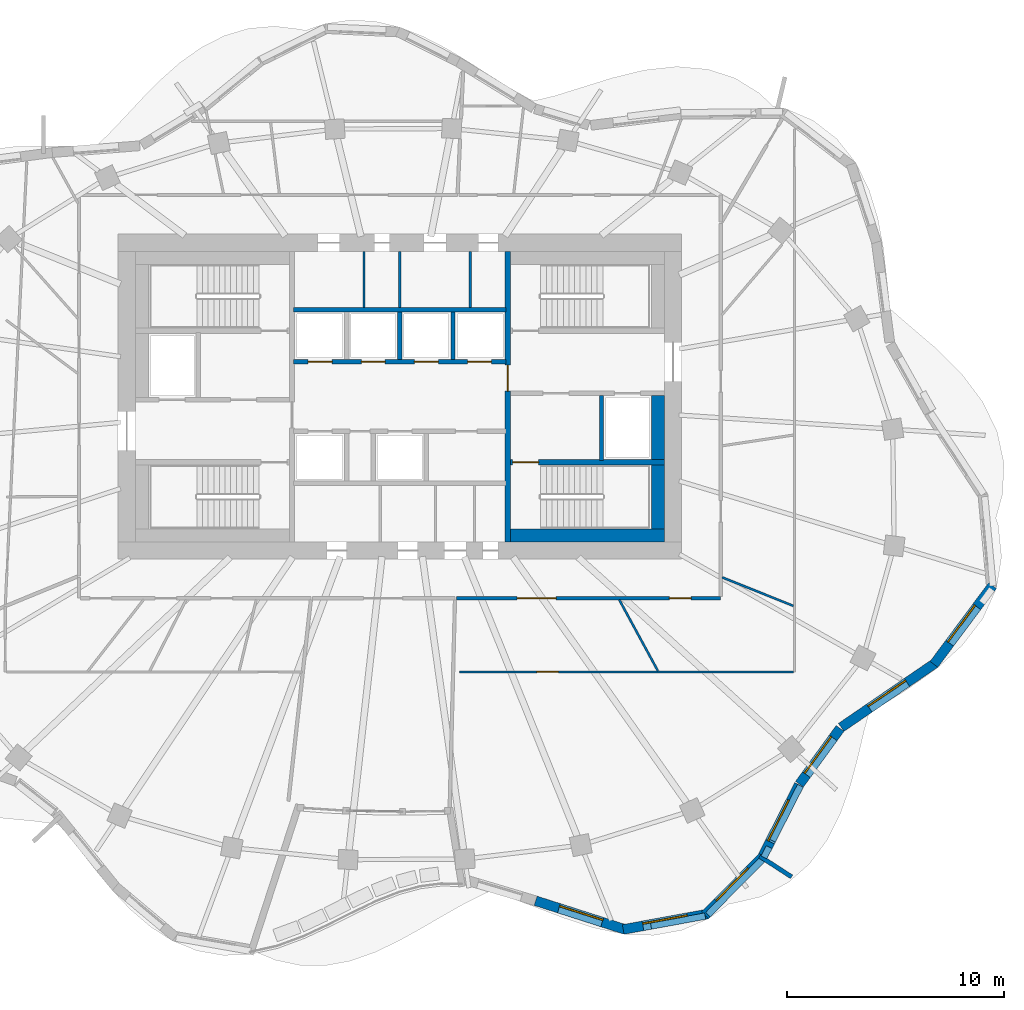
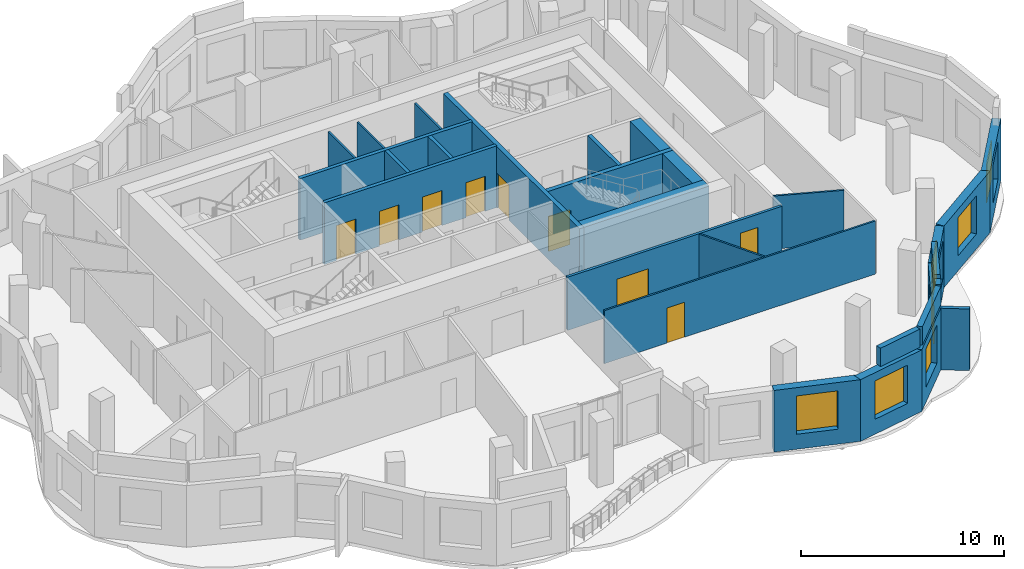
# One storey, part 7 of 12: 29 walls, 9 doors, 7 windows, 16 openings.
"""IFC4 building model written with IfcOpenShell, lengths in metres."""

from ifc_helpers import new_model, si_unit, direction, frame, frame_2d, origin, place, context, subcontext, project, spatial, rectangle, extrude, material, layer, layer_set, type_object, element, fill, save


model = new_model("IFC4")

# Units and contexts
model_context = context("Model", 3, precision=1e-05, world=origin(), true_north=direction((0.0, 1.0)))
body_context = subcontext(model_context, "Body", "Model", "MODEL_VIEW")
ifc_project = project(units=[si_unit("LENGTHUNIT", "METRE"), si_unit("AREAUNIT", "SQUARE_METRE"), si_unit("VOLUMEUNIT", "CUBIC_METRE"), si_unit("PLANEANGLEUNIT", "RADIAN"), si_unit("MASSUNIT", "GRAM", prefix="KILO")], contexts=[model_context])

# Site, building, storey
site_placement = place(None, origin())
site = spatial("IfcSite", under=ifc_project, at=site_placement, CompositionType="ELEMENT")
building_placement = place(site_placement, origin())
building = spatial("IfcBuilding", under=site, at=building_placement, Name="Rubra Terraces Tower", CompositionType="ELEMENT")
storey_placement = place(building_placement, frame((0.0, 0.0, 276.60009765625)))
storey = spatial("IfcBuildingStorey", under=building, at=storey_placement, Name="L68", CompositionType="ELEMENT", Elevation=276.60009765625)

# Wall, opening, window
ifc_material_1 = material(Name="Brick masonry red-brown", Category="masonry")
ifc_layer_1 = layer(ifc_material_1, 0.449951171875)
ifc_layer_set_1 = layer_set([ifc_layer_1], Name="Brick masonry red-brown")
wall_type_1 = type_object("IfcWallType", Name="Brick facade wall 450", PredefinedType="SOLIDWALL", material=ifc_layer_set_1)
wall_1_placement = place(storey_placement, frame((6.264404296875, -18.758544921875, 0.0), z_axis=(0.0, 0.0, 1.0), x_axis=(0.952259303219, -0.305290385423, 0.0)))
wall_1 = element("IfcWall", 1, at=wall_1_placement, inside=storey, type_object=wall_type_1, Name="Facade wall L68 bay 33", PredefinedType="SOLIDWALL", context=body_context, shape_type="SweptSolid", body=[
    extrude(rectangle(XDim=4.354248046875, YDim=0.449951171875, at=frame_2d((2.17724609375, 0.0))), origin(), (0.0, 0.0, 1.0), 3.699951171875),
])
opening_1_placement = place(wall_1_placement, frame((1.127197265625, 0.0, 0.89990234375)))
opening_1 = element("IfcOpeningElement", 2, at=opening_1_placement, cuts=wall_1, Name="Opening W1B", PredefinedType="OPENING", context=body_context, shape_type="SweptSolid", body=[
    extrude(rectangle(XDim=2.10009765625, YDim=2.300048828125, at=frame_2d((1.050048828125, 1.14990234375))), frame((0.0, 0.23486328125, 0.0), z_axis=(0.0, -1.0, 0.0), x_axis=(1.0, 0.0, 0.0)), (0.0, 0.0, 1.0), 0.469970703125),
])
ifc_material_2 = material(Name="Clear glass in aluminium frame", Category="aluminium")
window_type = type_object("IfcWindowType", Name="Fixed deep-set window tall storey 2100 x 2300", PartitioningType="SINGLE_PANEL", PredefinedType="WINDOW", material=ifc_material_2)
window_1_placement = place(opening_1_placement, origin())
window_1 = element("IfcWindow", 3, at=window_1_placement, inside=storey, type_object=window_type, Name="Window L68 bay 33", OverallHeight=2.300048828125, OverallWidth=2.10009765625, PartitioningType="SINGLE_PANEL", PredefinedType="WINDOW", context=body_context, shape_type="SweptSolid", body=[
    extrude(rectangle(XDim=2.10009765625, YDim=2.300048828125, at=frame_2d((1.050048828125, 1.14990234375))), frame((0.0, 0.135009765625, 0.0), z_axis=(0.0, -1.0, 0.0), x_axis=(1.0, 0.0, 0.0)), (0.0, 0.0, 1.0), 0.06005859375),
])
fill(opening_1, window_1)

wall_2_placement = place(storey_placement, frame((10.304443359375, -20.081787109375, 0.0), z_axis=(0.0, 0.0, 1.0), x_axis=(0.983644868335, 0.180118774698, 0.0)))
wall_2 = element("IfcWall", 4, at=wall_2_placement, inside=storey, type_object=wall_type_1, Name="Facade wall L68 bay 34", PredefinedType="SOLIDWALL", context=body_context, shape_type="SweptSolid", body=[
    extrude(rectangle(XDim=3.953857421875, YDim=0.449951171875, at=frame_2d((1.97705078125, 0.0))), origin(), (0.0, 0.0, 1.0), 3.699951171875),
])
opening_2_placement = place(wall_2_placement, frame((0.9267578125, 0.0, 0.89990234375)))
opening_2 = element("IfcOpeningElement", 5, at=opening_2_placement, cuts=wall_2, Name="Opening W1B", PredefinedType="OPENING", context=body_context, shape_type="SweptSolid", body=[
    extrude(rectangle(XDim=2.10009765625, YDim=2.300048828125, at=frame_2d((1.050048828125, 1.14990234375))), frame((0.0, 0.23486328125, 0.0), z_axis=(0.0, -1.0, 0.0), x_axis=(1.0, 0.0, 0.0)), (0.0, 0.0, 1.0), 0.469970703125),
])
window_2_placement = place(opening_2_placement, origin())
window_2 = element("IfcWindow", 6, at=window_2_placement, inside=storey, type_object=window_type, Name="Window L68 bay 34", OverallHeight=2.300048828125, OverallWidth=2.10009765625, PartitioningType="SINGLE_PANEL", PredefinedType="WINDOW", context=body_context, shape_type="SweptSolid", body=[
    extrude(rectangle(XDim=2.10009765625, YDim=2.300048828125, at=frame_2d((1.050048828125, 1.14990234375))), frame((0.0, 0.135009765625, 0.0), z_axis=(0.0, -1.0, 0.0), x_axis=(1.0, 0.0, 0.0)), (0.0, 0.0, 1.0), 0.06005859375),
])
fill(opening_2, window_2)

wall_3_placement = place(storey_placement, frame((14.073974609375, -19.432861328125, 0.0), z_axis=(0.0, 0.0, 1.0), x_axis=(0.702451084622, 0.711732023808, 0.0)))
wall_3 = element("IfcWall", 7, at=wall_3_placement, inside=storey, type_object=wall_type_1, Name="Facade wall L68 bay 35", PredefinedType="SOLIDWALL", context=body_context, shape_type="SweptSolid", body=[
    extrude(rectangle(XDim=3.7880859375, YDim=0.449951171875, at=frame_2d((1.89404296875, 0.0))), origin(), (0.0, 0.0, 1.0), 3.699951171875),
])
opening_3_placement = place(wall_3_placement, frame((0.843994140625, 0.0, 0.89990234375)))
opening_3 = element("IfcOpeningElement", 8, at=opening_3_placement, cuts=wall_3, Name="Opening W1B", PredefinedType="OPENING", context=body_context, shape_type="SweptSolid", body=[
    extrude(rectangle(XDim=2.10009765625, YDim=2.300048828125, at=frame_2d((1.050048828125, 1.14990234375))), frame((0.0, 0.23486328125, 0.0), z_axis=(0.0, -1.0, 0.0), x_axis=(1.0, 0.0, 0.0)), (0.0, 0.0, 1.0), 0.469970703125),
])
window_3_placement = place(opening_3_placement, origin())
window_3 = element("IfcWindow", 9, at=window_3_placement, inside=storey, type_object=window_type, Name="Window L68 bay 35", OverallHeight=2.300048828125, OverallWidth=2.10009765625, PartitioningType="SINGLE_PANEL", PredefinedType="WINDOW", context=body_context, shape_type="SweptSolid", body=[
    extrude(rectangle(XDim=2.10009765625, YDim=2.300048828125, at=frame_2d((1.050048828125, 1.14990234375))), frame((0.0, 0.135009765625, 0.0), z_axis=(0.0, -1.0, 0.0), x_axis=(1.0, 0.0, 0.0)), (0.0, 0.0, 1.0), 0.06005859375),
])
fill(opening_3, window_3)

wall_4_placement = place(storey_placement, frame((16.697021484375, -16.7880859375, 0.0), z_axis=(0.0, 0.0, 1.0), x_axis=(0.453390768189, 0.891311848525, 0.0)))
wall_4 = element("IfcWall", 10, at=wall_4_placement, inside=storey, type_object=wall_type_1, Name="Facade wall L68 bay 36", PredefinedType="SOLIDWALL", context=body_context, shape_type="SweptSolid", body=[
    extrude(rectangle(XDim=3.78759765625, YDim=0.449951171875, at=frame_2d((1.893798828125, 0.0))), origin(), (0.0, 0.0, 1.0), 3.699951171875),
])
opening_4_placement = place(wall_4_placement, frame((0.843994140625, 0.0, 0.89990234375)))
opening_4 = element("IfcOpeningElement", 11, at=opening_4_placement, cuts=wall_4, Name="Opening W1B", PredefinedType="OPENING", context=body_context, shape_type="SweptSolid", body=[
    extrude(rectangle(XDim=2.10009765625, YDim=2.300048828125, at=frame_2d((1.050048828125, 1.14990234375))), frame((0.0, 0.23486328125, 0.0), z_axis=(0.0, -1.0, 0.0), x_axis=(1.0, 0.0, 0.0)), (0.0, 0.0, 1.0), 0.469970703125),
])
window_4_placement = place(opening_4_placement, origin())
window_4 = element("IfcWindow", 12, at=window_4_placement, inside=storey, type_object=window_type, Name="Window L68 bay 36", OverallHeight=2.300048828125, OverallWidth=2.10009765625, PartitioningType="SINGLE_PANEL", PredefinedType="WINDOW", context=body_context, shape_type="SweptSolid", body=[
    extrude(rectangle(XDim=2.10009765625, YDim=2.300048828125, at=frame_2d((1.050048828125, 1.14990234375))), frame((0.0, 0.135009765625, 0.0), z_axis=(0.0, -1.0, 0.0), x_axis=(1.0, 0.0, 0.0)), (0.0, 0.0, 1.0), 0.06005859375),
])
fill(opening_4, window_4)

wall_5_placement = place(storey_placement, frame((18.43408203125, -13.381103515625, 0.0), z_axis=(0.0, 0.0, 1.0), x_axis=(0.58867331001, 0.808371037384, 0.0)))
wall_5 = element("IfcWall", 13, at=wall_5_placement, inside=storey, type_object=wall_type_1, Name="Facade wall L68 bay 37", PredefinedType="SOLIDWALL", context=body_context, shape_type="SweptSolid", body=[
    extrude(rectangle(XDim=3.1826171875, YDim=0.449951171875, at=frame_2d((1.59130859375, 0.0))), origin(), (0.0, 0.0, 1.0), 3.699951171875),
])
opening_5_placement = place(wall_5_placement, frame((0.541259765625, 0.0, 0.89990234375)))
opening_5 = element("IfcOpeningElement", 14, at=opening_5_placement, cuts=wall_5, Name="Opening W1B", PredefinedType="OPENING", context=body_context, shape_type="SweptSolid", body=[
    extrude(rectangle(XDim=2.10009765625, YDim=2.300048828125, at=frame_2d((1.050048828125, 1.14990234375))), frame((0.0, 0.23486328125, 0.0), z_axis=(0.0, -1.0, 0.0), x_axis=(1.0, 0.0, 0.0)), (0.0, 0.0, 1.0), 0.469970703125),
])
window_5_placement = place(opening_5_placement, origin())
window_5 = element("IfcWindow", 15, at=window_5_placement, inside=storey, type_object=window_type, Name="Window L68 bay 37", OverallHeight=2.300048828125, OverallWidth=2.10009765625, PartitioningType="SINGLE_PANEL", PredefinedType="WINDOW", context=body_context, shape_type="SweptSolid", body=[
    extrude(rectangle(XDim=2.10009765625, YDim=2.300048828125, at=frame_2d((1.050048828125, 1.14990234375))), frame((0.0, 0.135009765625, 0.0), z_axis=(0.0, -1.0, 0.0), x_axis=(1.0, 0.0, 0.0)), (0.0, 0.0, 1.0), 0.06005859375),
])
fill(opening_5, window_5)

wall_6_placement = place(storey_placement, frame((20.358642578125, -10.760498046875, 0.0), z_axis=(0.0, 0.0, 1.0), x_axis=(0.825616460661, 0.564231743068, 0.0)))
wall_6 = element("IfcWall", 16, at=wall_6_placement, inside=storey, type_object=wall_type_1, Name="Facade wall L68 bay 38", PredefinedType="SOLIDWALL", context=body_context, shape_type="SweptSolid", body=[
    extrude(rectangle(XDim=5.246337890625, YDim=0.449951171875, at=frame_2d((2.623046875, 0.0))), origin(), (0.0, 0.0, 1.0), 3.699951171875),
])
opening_6_placement = place(wall_6_placement, frame((1.5732421875, 0.0, 0.89990234375)))
opening_6 = element("IfcOpeningElement", 17, at=opening_6_placement, cuts=wall_6, Name="Opening W1B", PredefinedType="OPENING", context=body_context, shape_type="SweptSolid", body=[
    extrude(rectangle(XDim=2.10009765625, YDim=2.300048828125, at=frame_2d((1.050048828125, 1.14990234375))), frame((0.0, 0.23486328125, 0.0), z_axis=(0.0, -1.0, 0.0), x_axis=(1.0, 0.0, 0.0)), (0.0, 0.0, 1.0), 0.469970703125),
])
window_6_placement = place(opening_6_placement, origin())
window_6 = element("IfcWindow", 18, at=window_6_placement, inside=storey, type_object=window_type, Name="Window L68 bay 38", OverallHeight=2.300048828125, OverallWidth=2.10009765625, PartitioningType="SINGLE_PANEL", PredefinedType="WINDOW", context=body_context, shape_type="SweptSolid", body=[
    extrude(rectangle(XDim=2.10009765625, YDim=2.300048828125, at=frame_2d((1.050048828125, 1.14990234375))), frame((0.0, 0.135009765625, 0.0), z_axis=(0.0, -1.0, 0.0), x_axis=(1.0, 0.0, 0.0)), (0.0, 0.0, 1.0), 0.06005859375),
])
fill(opening_6, window_6)

wall_7_placement = place(storey_placement, frame((24.63671875, -7.851806640625, 0.0), z_axis=(0.0, 0.0, 1.0), x_axis=(0.597518748368, 0.80185494034, 0.0)))
wall_7 = element("IfcWall", 19, at=wall_7_placement, inside=storey, type_object=wall_type_1, Name="Facade wall L68 bay 39", PredefinedType="SOLIDWALL", context=body_context, shape_type="SweptSolid", body=[
    extrude(rectangle(XDim=4.5234375, YDim=0.449951171875, at=frame_2d((2.26171875, 0.0))), origin(), (0.0, 0.0, 1.0), 3.699951171875),
])
opening_7_placement = place(wall_7_placement, frame((1.211669921875, 0.0, 0.89990234375)))
opening_7 = element("IfcOpeningElement", 20, at=opening_7_placement, cuts=wall_7, Name="Opening W1B", PredefinedType="OPENING", context=body_context, shape_type="SweptSolid", body=[
    extrude(rectangle(XDim=2.10009765625, YDim=2.300048828125, at=frame_2d((1.050048828125, 1.14990234375))), frame((0.0, 0.23486328125, 0.0), z_axis=(0.0, -1.0, 0.0), x_axis=(1.0, 0.0, 0.0)), (0.0, 0.0, 1.0), 0.469970703125),
])
window_7_placement = place(opening_7_placement, origin())
window_7 = element("IfcWindow", 21, at=window_7_placement, inside=storey, type_object=window_type, Name="Window L68 bay 39", OverallHeight=2.300048828125, OverallWidth=2.10009765625, PartitioningType="SINGLE_PANEL", PredefinedType="WINDOW", context=body_context, shape_type="SweptSolid", body=[
    extrude(rectangle(XDim=2.10009765625, YDim=2.300048828125, at=frame_2d((1.050048828125, 1.14990234375))), frame((0.0, 0.135009765625, 0.0), z_axis=(0.0, -1.0, 0.0), x_axis=(1.0, 0.0, 0.0)), (0.0, 0.0, 1.0), 0.06005859375),
])
fill(opening_7, window_7)

# Walls
ifc_layer_2 = layer(ifc_material_1, 0.300048828125)
ifc_layer_set_2 = layer_set([ifc_layer_2], Name="Brick masonry red-brown")
wall_type_2 = type_object("IfcWallType", Name="Brick parapet 300", PredefinedType="PARAPET", material=ifc_layer_set_2)
wall_8_placement = place(storey_placement, frame((11.586669921875, -19.923095703125, 3.89990234375), z_axis=(0.0, 0.0, 1.0), x_axis=(0.983652285329, 0.180078265118, 0.0)))
element("IfcWall", 22, at=wall_8_placement, inside=storey, type_object=wall_type_2, Name="Parapet L68 bay 34", PredefinedType="PARAPET", context=body_context, shape_type="SweptSolid", body=[
    extrude(rectangle(XDim=2.539306640625, YDim=0.300048828125, at=frame_2d((1.26953125, 0.0))), origin(), (0.0, 0.0, 1.0), 1.10009765625),
])
wall_9_placement = place(storey_placement, frame((14.21484375, -19.39697265625, 3.89990234375), z_axis=(0.0, 0.0, 1.0), x_axis=(0.702463448063, 0.711719821373, 0.0)))
element("IfcWall", 23, at=wall_9_placement, inside=storey, type_object=wall_type_2, Name="Parapet L68 bay 35", PredefinedType="PARAPET", context=body_context, shape_type="SweptSolid", body=[
    extrude(rectangle(XDim=3.587158203125, YDim=0.300048828125, at=frame_2d((1.79345703125, 0.0))), origin(), (0.0, 0.0, 1.0), 1.10009765625),
])
wall_10_placement = place(storey_placement, frame((16.796142578125, -16.758544921875, 3.89990234375), z_axis=(0.0, 0.0, 1.0), x_axis=(0.453387528551, 0.89131349645, 0.0)))
element("IfcWall", 24, at=wall_10_placement, inside=storey, type_object=wall_type_2, Name="Parapet L68 bay 36", PredefinedType="PARAPET", context=body_context, shape_type="SweptSolid", body=[
    extrude(rectangle(XDim=0.536865234375, YDim=0.300048828125, at=frame_2d((0.2685546875, 0.0))), origin(), (0.0, 0.0, 1.0), 1.10009765625),
])
wall_11_placement = place(storey_placement, frame((17.18896484375, -15.986083984375, 3.89990234375), z_axis=(0.0, 0.0, 1.0), x_axis=(0.453374811941, 0.891319964938, 0.0)))
element("IfcWall", 25, at=wall_11_placement, inside=storey, type_object=wall_type_2, Name="Parapet L68 bay 36.2", PredefinedType="PARAPET", context=body_context, shape_type="SweptSolid", body=[
    extrude(rectangle(XDim=2.84814453125, YDim=0.300048828125, at=frame_2d((1.424072265625, 0.0))), origin(), (0.0, 0.0, 1.0), 1.10009765625),
])
ifc_layer_3 = layer(ifc_material_1, 0.199951171875)
ifc_layer_set_3 = layer_set([ifc_layer_3], Name="Brick masonry red-brown")
wall_type_3 = type_object("IfcWallType", Name="Brick wind fin 200", PredefinedType="SOLIDWALL", material=ifc_layer_set_3)
wall_12_placement = place(storey_placement, frame((16.60205078125, -16.702880859375, 0.0), z_axis=(0.0, 0.0, 1.0), x_axis=(0.8390232549, -0.54409555938, 0.0)))
element("IfcWall", 26, at=wall_12_placement, inside=storey, type_object=wall_type_3, Name="Wind fin L68 18", PredefinedType="SOLIDWALL", context=body_context, shape_type="SweptSolid", body=[
    extrude(rectangle(XDim=1.75, YDim=0.199951171875, at=frame_2d((0.875, 0.0))), origin(), (0.0, 0.0, 1.0), 3.699951171875),
])

# Wall, openings, doors
ifc_material_3 = material(Name="Plasterboard on steel stud, mineral wool infill", Category="steel")
ifc_layer_4 = layer(ifc_material_3, 0.14990234375)
ifc_layer_set_4 = layer_set([ifc_layer_4], Name="Plasterboard on steel stud, mineral wool infill")
wall_type_4 = type_object("IfcWallType", Name="CORRIDOR PARTITION 150", PredefinedType="PARTITIONING", material=ifc_layer_set_4)
wall_13_placement = place(storey_placement, frame((2.620361328125, -4.800048828125, 0.0), z_axis=(0.0, 0.0, 1.0), x_axis=(1.0, 0.0, 0.0)))
wall_13 = element("IfcWall", 27, at=wall_13_placement, inside=storey, type_object=wall_type_4, Name="PARTITION", PredefinedType="PARTITIONING", context=body_context, shape_type="SweptSolid", body=[
    extrude(rectangle(XDim=12.1796875, YDim=0.14990234375, at=frame_2d((6.08984375, 0.0))), origin(), (0.0, 0.0, 1.0), 3.197998046875),
])
opening_8_placement = place(wall_13_placement, frame((2.7919921875, 0.0, 0.0)))
opening_8 = element("IfcOpeningElement", 28, at=opening_8_placement, cuts=wall_13, Name="Opening 68-114", PredefinedType="OPENING", context=body_context, shape_type="SweptSolid", body=[
    extrude(rectangle(XDim=1.800048828125, YDim=2.10009765625, at=frame_2d((0.89990234375, 1.050048828125))), frame((0.0, 0.0849609375, 0.0), z_axis=(0.0, -1.0, 0.0), x_axis=(1.0, 0.0, 0.0)), (0.0, 0.0, 1.0), 0.169921875),
])
opening_9_placement = place(wall_13_placement, frame((9.81298828125, 0.0, 0.0)))
opening_9 = element("IfcOpeningElement", 29, at=opening_9_placement, cuts=wall_13, Name="Opening 68-116", PredefinedType="OPENING", context=body_context, shape_type="SweptSolid", body=[
    extrude(rectangle(XDim=1.0, YDim=2.39990234375, at=frame_2d((0.5, 1.199951171875))), frame((0.0, 0.0849609375, 0.0), z_axis=(0.0, -1.0, 0.0), x_axis=(1.0, 0.0, 0.0)), (0.0, 0.0, 1.0), 0.169921875),
])
ifc_material_4 = material(Name="Glazed aluminium meeting door leaf", Category="aluminium")
door_type_1 = type_object("IfcDoorType", Name="MEETING ROOM GLAZED DOOR 1000 X 2400", OperationType="SINGLE_SWING_LEFT", PredefinedType="DOOR", material=ifc_material_4)
door_1_placement = place(opening_9_placement, origin())
door_1 = element("IfcDoor", 30, at=door_1_placement, inside=storey, type_object=door_type_1, Name="DOOR 68-116", OperationType="SINGLE_SWING_RIGHT", OverallHeight=2.39990234375, OverallWidth=1.0, PredefinedType="DOOR", context=body_context, shape_type="SweptSolid", body=[
    extrude(rectangle(XDim=1.0, YDim=2.39990234375, at=frame_2d((0.5, 1.199951171875))), frame((0.0, 0.02490234375, 0.0), z_axis=(0.0, -1.0, 0.0), x_axis=(1.0, 0.0, 0.0)), (0.0, 0.0, 1.0), 0.050048828125),
])
fill(opening_9, door_1)
ifc_material_5 = material(Name="Painted timber door leaf, double", Category="wood")
door_type_2 = type_object("IfcDoorType", Name="ROOM DOUBLE DOOR 1800 X 2100", OperationType="DOUBLE_DOOR_SINGLE_SWING", PredefinedType="DOOR", material=ifc_material_5)
door_2_placement = place(opening_8_placement, origin())
door_2 = element("IfcDoor", 31, at=door_2_placement, inside=storey, type_object=door_type_2, Name="DOOR 68-114", OperationType="DOUBLE_DOOR_SINGLE_SWING", OverallHeight=2.10009765625, OverallWidth=1.800048828125, PredefinedType="DOOR", context=body_context, shape_type="SweptSolid", body=[
    extrude(rectangle(XDim=1.800048828125, YDim=2.10009765625, at=frame_2d((0.89990234375, 1.050048828125))), frame((0.0, 0.02490234375, 0.0), z_axis=(0.0, -1.0, 0.0), x_axis=(1.0, 0.0, 0.0)), (0.0, 0.0, 1.0), 0.050048828125),
])
fill(opening_8, door_2)

# Walls
ifc_material_6 = material(Name="Concrete C40", Category="concrete")
ifc_layer_5 = layer(ifc_material_6, 0.60009765625)
ifc_layer_set_5 = layer_set([ifc_layer_5], Name="Concrete C40")
wall_type_5 = type_object("IfcWallType", Name="Core lining wall 600 concrete", PredefinedType="SOLIDWALL", material=ifc_layer_set_5)
wall_14_placement = place(storey_placement, frame((11.89990234375, 4.550048828125, 0.0), z_axis=(0.0, 0.0, 1.0), x_axis=(0.0, -1.0, 0.0)))
element("IfcWall", 32, at=wall_14_placement, inside=storey, type_object=wall_type_5, Name="CORE LINING WALL L68", PredefinedType="SOLIDWALL", context=body_context, shape_type="SweptSolid", body=[
    extrude(rectangle(XDim=3.0, YDim=0.60009765625, at=frame_2d((1.5, 0.0))), origin(), (0.0, 0.0, 1.0), 3.699951171875),
])
wall_15_placement = place(storey_placement, frame((11.89990234375, 1.35009765625, 0.0), z_axis=(0.0, 0.0, 1.0), x_axis=(0.0, -1.0, 0.0)))
element("IfcWall", 33, at=wall_15_placement, inside=storey, type_object=wall_type_5, Name="CORE LINING WALL L68", PredefinedType="SOLIDWALL", context=body_context, shape_type="SweptSolid", body=[
    extrude(rectangle(XDim=2.9501953125, YDim=0.60009765625, at=frame_2d((1.47509765625, 0.0))), origin(), (0.0, 0.0, 1.0), 3.699951171875),
])
wall_16_placement = place(storey_placement, frame((12.199951171875, -1.89990234375, 0.0), z_axis=(0.0, 0.0, 1.0), x_axis=(-1.0, 0.0, 0.0)))
element("IfcWall", 34, at=wall_16_placement, inside=storey, type_object=wall_type_5, Name="CORE LINING WALL L68", PredefinedType="SOLIDWALL", context=body_context, shape_type="SweptSolid", body=[
    extrude(rectangle(XDim=7.099853515625, YDim=0.60009765625, at=frame_2d((3.5498046875, 0.0))), origin(), (0.0, 0.0, 1.0), 3.699951171875),
])
ifc_material_7 = material(Name="Concrete C30", Category="concrete")
ifc_layer_6 = layer(ifc_material_7, 0.199951171875)
ifc_layer_set_6 = layer_set([ifc_layer_6], Name="Concrete C30")
wall_type_6 = type_object("IfcWallType", Name="Core wall 200 concrete", PredefinedType="SOLIDWALL", material=ifc_layer_set_6)
wall_17_placement = place(storey_placement, frame((9.300048828125, 4.550048828125, 0.0), z_axis=(0.0, 0.0, 1.0), x_axis=(0.0, -1.0, 0.0)))
element("IfcWall", 35, at=wall_17_placement, inside=storey, type_object=wall_type_6, Name="STAIR WALL L68", PredefinedType="SOLIDWALL", context=body_context, shape_type="SweptSolid", body=[
    extrude(rectangle(XDim=3.0, YDim=0.199951171875, at=frame_2d((1.5, 0.0))), origin(), (0.0, 0.0, 1.0), 3.699951171875),
])

# Wall, openings, doors
wall_18_placement = place(storey_placement, frame((-4.89990234375, 6.10009765625, 0.0), z_axis=(0.0, 0.0, 1.0), x_axis=(1.0, 0.0, 0.0)))
wall_18 = element("IfcWall", 36, at=wall_18_placement, inside=storey, type_object=wall_type_6, Name="LIFT SHAFT WALL L68", PredefinedType="SOLIDWALL", context=body_context, shape_type="SweptSolid", body=[
    extrude(rectangle(XDim=9.7998046875, YDim=0.199951171875, at=frame_2d((4.89990234375, 0.0))), origin(), (0.0, 0.0, 1.0), 3.699951171875),
])
opening_10_placement = place(wall_18_placement, frame((0.675048828125, 0.0, 0.0)))
opening_10 = element("IfcOpeningElement", 37, at=opening_10_placement, cuts=wall_18, Name="Opening L68.C17", PredefinedType="OPENING", context=body_context, shape_type="SweptSolid", body=[
    extrude(rectangle(XDim=1.10009765625, YDim=2.10009765625, at=frame_2d((0.550048828125, 1.050048828125))), frame((0.0, 0.10986328125, 0.0), z_axis=(0.0, -1.0, 0.0), x_axis=(1.0, 0.0, 0.0)), (0.0, 0.0, 1.0), 0.219970703125),
])
opening_11_placement = place(wall_18_placement, frame((3.125, 0.0, 0.0)))
opening_11 = element("IfcOpeningElement", 38, at=opening_11_placement, cuts=wall_18, Name="Opening L68.C18", PredefinedType="OPENING", context=body_context, shape_type="SweptSolid", body=[
    extrude(rectangle(XDim=1.10009765625, YDim=2.10009765625, at=frame_2d((0.550048828125, 1.050048828125))), frame((0.0, 0.10986328125, 0.0), z_axis=(0.0, -1.0, 0.0), x_axis=(1.0, 0.0, 0.0)), (0.0, 0.0, 1.0), 0.219970703125),
])
opening_12_placement = place(wall_18_placement, frame((5.574951171875, 0.0, 0.0)))
opening_12 = element("IfcOpeningElement", 39, at=opening_12_placement, cuts=wall_18, Name="Opening L68.C19", PredefinedType="OPENING", context=body_context, shape_type="SweptSolid", body=[
    extrude(rectangle(XDim=1.10009765625, YDim=2.10009765625, at=frame_2d((0.550048828125, 1.050048828125))), frame((0.0, 0.10986328125, 0.0), z_axis=(0.0, -1.0, 0.0), x_axis=(1.0, 0.0, 0.0)), (0.0, 0.0, 1.0), 0.219970703125),
])
opening_13_placement = place(wall_18_placement, frame((8.02490234375, 0.0, 0.0)))
opening_13 = element("IfcOpeningElement", 40, at=opening_13_placement, cuts=wall_18, Name="Opening L68.C20", PredefinedType="OPENING", context=body_context, shape_type="SweptSolid", body=[
    extrude(rectangle(XDim=1.10009765625, YDim=2.10009765625, at=frame_2d((0.550048828125, 1.050048828125))), frame((0.0, 0.10986328125, 0.0), z_axis=(0.0, -1.0, 0.0), x_axis=(1.0, 0.0, 0.0)), (0.0, 0.0, 1.0), 0.219970703125),
])
ifc_material_8 = material(Name="Stainless steel", Category="steel")
door_type_3 = type_object("IfcDoorType", Name="Lift landing door 1100x2100", OperationType="NOTDEFINED", PredefinedType="DOOR", material=ifc_material_8)
door_3_placement = place(opening_10_placement, origin())
door_3 = element("IfcDoor", 41, at=door_3_placement, inside=storey, type_object=door_type_3, Name="Landing door HB3", OperationType="SLIDING_TO_RIGHT", OverallHeight=2.10009765625, OverallWidth=1.10009765625, PredefinedType="DOOR", context=body_context, shape_type="SweptSolid", body=[
    extrude(rectangle(XDim=1.10009765625, YDim=2.10009765625, at=frame_2d((0.550048828125, 1.050048828125))), frame((0.0, 0.02490234375, 0.0), z_axis=(0.0, -1.0, 0.0), x_axis=(1.0, 0.0, 0.0)), (0.0, 0.0, 1.0), 0.050048828125),
])
fill(opening_10, door_3)
door_4_placement = place(opening_11_placement, origin())
door_4 = element("IfcDoor", 42, at=door_4_placement, inside=storey, type_object=door_type_3, Name="Landing door HB4", OperationType="SLIDING_TO_LEFT", OverallHeight=2.10009765625, OverallWidth=1.10009765625, PredefinedType="DOOR", context=body_context, shape_type="SweptSolid", body=[
    extrude(rectangle(XDim=1.10009765625, YDim=2.10009765625, at=frame_2d((0.550048828125, 1.050048828125))), frame((0.0, 0.02490234375, 0.0), z_axis=(0.0, -1.0, 0.0), x_axis=(1.0, 0.0, 0.0)), (0.0, 0.0, 1.0), 0.050048828125),
])
fill(opening_11, door_4)
door_5_placement = place(opening_12_placement, origin())
door_5 = element("IfcDoor", 43, at=door_5_placement, inside=storey, type_object=door_type_3, Name="Landing door HB5", OperationType="SLIDING_TO_RIGHT", OverallHeight=2.10009765625, OverallWidth=1.10009765625, PredefinedType="DOOR", context=body_context, shape_type="SweptSolid", body=[
    extrude(rectangle(XDim=1.10009765625, YDim=2.10009765625, at=frame_2d((0.550048828125, 1.050048828125))), frame((0.0, 0.02490234375, 0.0), z_axis=(0.0, -1.0, 0.0), x_axis=(1.0, 0.0, 0.0)), (0.0, 0.0, 1.0), 0.050048828125),
])
fill(opening_12, door_5)
door_6_placement = place(opening_13_placement, origin())
door_6 = element("IfcDoor", 44, at=door_6_placement, inside=storey, type_object=door_type_3, Name="Landing door HB6", OperationType="SLIDING_TO_LEFT", OverallHeight=2.10009765625, OverallWidth=1.10009765625, PredefinedType="DOOR", context=body_context, shape_type="SweptSolid", body=[
    extrude(rectangle(XDim=1.10009765625, YDim=2.10009765625, at=frame_2d((0.550048828125, 1.050048828125))), frame((0.0, 0.02490234375, 0.0), z_axis=(0.0, -1.0, 0.0), x_axis=(1.0, 0.0, 0.0)), (0.0, 0.0, 1.0), 0.050048828125),
])
fill(opening_13, door_6)

# Walls
wall_19_placement = place(storey_placement, frame((-4.89990234375, 8.5, 0.0), z_axis=(0.0, 0.0, 1.0), x_axis=(1.0, 0.0, 0.0)))
element("IfcWall", 45, at=wall_19_placement, inside=storey, type_object=wall_type_6, Name="LIFT SHAFT WALL L68", PredefinedType="SOLIDWALL", context=body_context, shape_type="SweptSolid", body=[
    extrude(rectangle(XDim=9.7998046875, YDim=0.199951171875, at=frame_2d((4.89990234375, 0.0))), origin(), (0.0, 0.0, 1.0), 3.699951171875),
])
for number, where, z_axis, x_axis, name in (
    (46, (0.0, 6.199951171875, 0.0), (0.0, 0.0, 1.0), (0.0, 1.0, 0.0), "LIFT SHAFT WALL L68"),
    (47, (2.449951171875, 6.199951171875, 0.0), (0.0, 0.0, 1.0), (0.0, 1.0, 0.0), "LIFT SHAFT WALL L68"),
):
    element("IfcWall", number, at=place(storey_placement, frame(where, z_axis=z_axis, x_axis=x_axis)), inside=storey, type_object=wall_type_6, Name=name, PredefinedType="SOLIDWALL", context=body_context, shape_type="SweptSolid", body=[
        extrude(rectangle(XDim=2.199951171875, YDim=0.199951171875, at=frame_2d((1.10009765625, 0.0))), origin(), (0.0, 0.0, 1.0), 3.699951171875),
    ])

# Wall, opening, door
ifc_material_9 = material(Name="Plasterboard on steel stud", Category="steel")
ifc_layer_7 = layer(ifc_material_9, 0.10009765625)
ifc_layer_set_7 = layer_set([ifc_layer_7], Name="Plasterboard on steel stud")
wall_type_7 = type_object("IfcWallType", Name="ROOM PARTITION 100", PredefinedType="PARTITIONING", material=ifc_layer_set_7)
wall_20_placement = place(storey_placement, frame((18.14990234375, -8.199951171875, 0.0), z_axis=(0.0, 0.0, 1.0), x_axis=(-1.0, 0.0, 0.0)))
wall_20 = element("IfcWall", 48, at=wall_20_placement, inside=storey, type_object=wall_type_7, Name="PARTITION", PredefinedType="PARTITIONING", context=body_context, shape_type="SweptSolid", body=[
    extrude(rectangle(XDim=15.39599609375, YDim=0.10009765625, at=frame_2d((7.697998046875, 0.0))), origin(), (0.0, 0.0, 1.0), 3.183837890625),
])
opening_14_placement = place(wall_20_placement, frame((10.8330078125, 0.0, 0.0)))
opening_14 = element("IfcOpeningElement", 49, at=opening_14_placement, cuts=wall_20, Name="Opening 68-115", PredefinedType="OPENING", context=body_context, shape_type="SweptSolid", body=[
    extrude(rectangle(XDim=1.0, YDim=2.10009765625, at=frame_2d((0.5, 1.050048828125))), frame((0.0, 0.06005859375, 0.0), z_axis=(0.0, -1.0, 0.0), x_axis=(1.0, 0.0, 0.0)), (0.0, 0.0, 1.0), 0.1201171875),
])
ifc_material_10 = material(Name="Painted timber door leaf", Category="wood")
door_type_4 = type_object("IfcDoorType", Name="ROOM DOOR 1000 X 2100", OperationType="SINGLE_SWING_LEFT", PredefinedType="DOOR", material=ifc_material_10)
door_7_placement = place(opening_14_placement, origin())
door_7 = element("IfcDoor", 50, at=door_7_placement, inside=storey, type_object=door_type_4, Name="DOOR 68-115", OperationType="SINGLE_SWING_RIGHT", OverallHeight=2.10009765625, OverallWidth=1.0, PredefinedType="DOOR", context=body_context, shape_type="SweptSolid", body=[
    extrude(rectangle(XDim=1.0, YDim=2.10009765625, at=frame_2d((0.5, 1.050048828125))), frame((0.0, 0.02490234375, 0.0), z_axis=(0.0, -1.0, 0.0), x_axis=(1.0, 0.0, 0.0)), (0.0, 0.0, 1.0), 0.050048828125),
])
fill(opening_14, door_7)

# Walls
wall_21_placement = place(storey_placement, frame((10.115966796875, -4.865966796875, 0.0), z_axis=(0.0, 0.0, 1.0), x_axis=(0.477517697146, -0.878622130903, 0.0)))
element("IfcWall", 51, at=wall_21_placement, inside=storey, type_object=wall_type_7, Name="PARTITION", PredefinedType="PARTITIONING", context=body_context, shape_type="SweptSolid", body=[
    extrude(rectangle(XDim=3.74462890625, YDim=0.10009765625, at=frame_2d((1.872314453125, 0.0))), origin(), (0.0, 0.0, 1.0), 3.183837890625),
])
wall_22_placement = place(storey_placement, frame((14.86962890625, -3.841064453125, 0.0), z_axis=(0.0, 0.0, 1.0), x_axis=(0.928248069679, -0.371961719989, 0.0)))
element("IfcWall", 52, at=wall_22_placement, inside=storey, type_object=wall_type_7, Name="PARTITION", PredefinedType="PARTITIONING", context=body_context, shape_type="SweptSolid", body=[
    extrude(rectangle(XDim=3.537841796875, YDim=0.10009765625, at=frame_2d((1.76904296875, 0.0))), origin(), (0.0, 0.0, 1.0), 3.183837890625),
])
ifc_material_11 = material(Name="Blockwork", Category="masonry")
ifc_layer_8 = layer(ifc_material_11, 0.10009765625)
ifc_layer_set_8 = layer_set([ifc_layer_8], Name="Blockwork")
wall_type_8 = type_object("IfcWallType", Name="Service partition 100 blockwork", PredefinedType="PARTITIONING", material=ifc_layer_set_8)
for number, where, z_axis, x_axis, name in (
    (53, (-1.64990234375, 8.60009765625, 0.0), (0.0, 0.0, 1.0), (0.0, 1.0, 0.0), "SERVICE ROOM PARTITION L68"),
    (54, (0.0, 8.60009765625, 0.0), (0.0, 0.0, 1.0), (0.0, 1.0, 0.0), "SERVICE ROOM PARTITION L68"),
    (55, (3.25, 8.60009765625, 0.0), (0.0, 0.0, 1.0), (0.0, 1.0, 0.0), "SERVICE ROOM PARTITION L68"),
):
    element("IfcWall", number, at=place(storey_placement, frame(where, z_axis=z_axis, x_axis=x_axis)), inside=storey, type_object=wall_type_8, Name=name, PredefinedType="PARTITIONING", context=body_context, shape_type="SweptSolid", body=[
        extrude(rectangle(XDim=2.599853515625, YDim=0.10009765625, at=frame_2d((1.2998046875, 0.0))), origin(), (0.0, 0.0, 1.0), 3.699951171875),
    ])

# Wall, opening, door
ifc_layer_9 = layer(ifc_material_6, 0.25)
ifc_layer_set_9 = layer_set([ifc_layer_9], Name="Concrete C40")
wall_type_9 = type_object("IfcWallType", Name="Stair enclosure wall 250 concrete", PredefinedType="SOLIDWALL", material=ifc_layer_set_9)
wall_23_placement = place(storey_placement, frame((12.199951171875, 1.47509765625, 0.0), z_axis=(0.0, 0.0, 1.0), x_axis=(-1.0, 0.0, 0.0)))
wall_23 = element("IfcWall", 56, at=wall_23_placement, inside=storey, type_object=wall_type_9, Name="STAIR WALL L68", PredefinedType="SOLIDWALL", context=body_context, shape_type="SweptSolid", body=[
    extrude(rectangle(XDim=7.099853515625, YDim=0.25, at=frame_2d((3.5498046875, 0.0))), origin(), (0.0, 0.0, 1.0), 3.699951171875),
])
opening_15_placement = place(wall_23_placement, frame((5.800048828125, 0.0, 0.0)))
opening_15 = element("IfcOpeningElement", 57, at=opening_15_placement, cuts=wall_23, Name="Opening L68.C10", PredefinedType="OPENING", context=body_context, shape_type="SweptSolid", body=[
    extrude(rectangle(XDim=1.199951171875, YDim=2.10009765625, at=frame_2d((0.60009765625, 1.050048828125))), frame((0.0, 0.135009765625, 0.0), z_axis=(0.0, -1.0, 0.0), x_axis=(1.0, 0.0, 0.0)), (0.0, 0.0, 1.0), 0.27001953125),
])
ifc_material_12 = material(Name="Painted steel", Category="steel")
door_type_5 = type_object("IfcDoorType", Name="Fire door 1200x2100 single", OperationType="NOTDEFINED", PredefinedType="DOOR", material=ifc_material_12)
door_8_placement = place(opening_15_placement, origin())
door_8 = element("IfcDoor", 58, at=door_8_placement, inside=storey, type_object=door_type_5, Name="Stair door S4", OperationType="SINGLE_SWING_RIGHT", OverallHeight=2.10009765625, OverallWidth=1.199951171875, PredefinedType="DOOR", context=body_context, shape_type="SweptSolid", body=[
    extrude(rectangle(XDim=1.199951171875, YDim=2.10009765625, at=frame_2d((0.60009765625, 1.050048828125))), frame((0.0, 0.02490234375, 0.0), z_axis=(0.0, -1.0, 0.0), x_axis=(1.0, 0.0, 0.0)), (0.0, 0.0, 1.0), 0.050048828125),
])
fill(opening_15, door_8)

wall_24_placement = place(storey_placement, frame((4.97509765625, 11.199951171875, 0.0), z_axis=(0.0, 0.0, 1.0), x_axis=(0.0, -1.0, 0.0)))
wall_24 = element("IfcWall", 59, at=wall_24_placement, inside=storey, type_object=wall_type_9, Name="CORE LOBBY WALL L68", PredefinedType="SOLIDWALL", context=body_context, shape_type="SweptSolid", body=[
    extrude(rectangle(XDim=13.39990234375, YDim=0.25, at=frame_2d((6.699951171875, 0.0))), origin(), (0.0, 0.0, 1.0), 3.699951171875),
])
opening_16_placement = place(wall_24_placement, frame((5.25, 0.0, 0.0)))
opening_16 = element("IfcOpeningElement", 60, at=opening_16_placement, cuts=wall_24, Name="Opening L68.C04", PredefinedType="OPENING", context=body_context, shape_type="SweptSolid", body=[
    extrude(rectangle(XDim=1.199951171875, YDim=2.10009765625, at=frame_2d((0.60009765625, 1.050048828125))), frame((0.0, 0.135009765625, 0.0), z_axis=(0.0, -1.0, 0.0), x_axis=(1.0, 0.0, 0.0)), (0.0, 0.0, 1.0), 0.27001953125),
])
door_9_placement = place(opening_16_placement, origin())
door_9 = element("IfcDoor", 61, at=door_9_placement, inside=storey, type_object=door_type_5, Name="Firefighting lobby door FF2", OperationType="SINGLE_SWING_RIGHT", OverallHeight=2.10009765625, OverallWidth=1.199951171875, PredefinedType="DOOR", context=body_context, shape_type="SweptSolid", body=[
    extrude(rectangle(XDim=1.199951171875, YDim=2.10009765625, at=frame_2d((0.60009765625, 1.050048828125))), frame((0.0, 0.02490234375, 0.0), z_axis=(0.0, -1.0, 0.0), x_axis=(1.0, 0.0, 0.0)), (0.0, 0.0, 1.0), 0.050048828125),
])
fill(opening_16, door_9)

save(model, "model.ifc")
